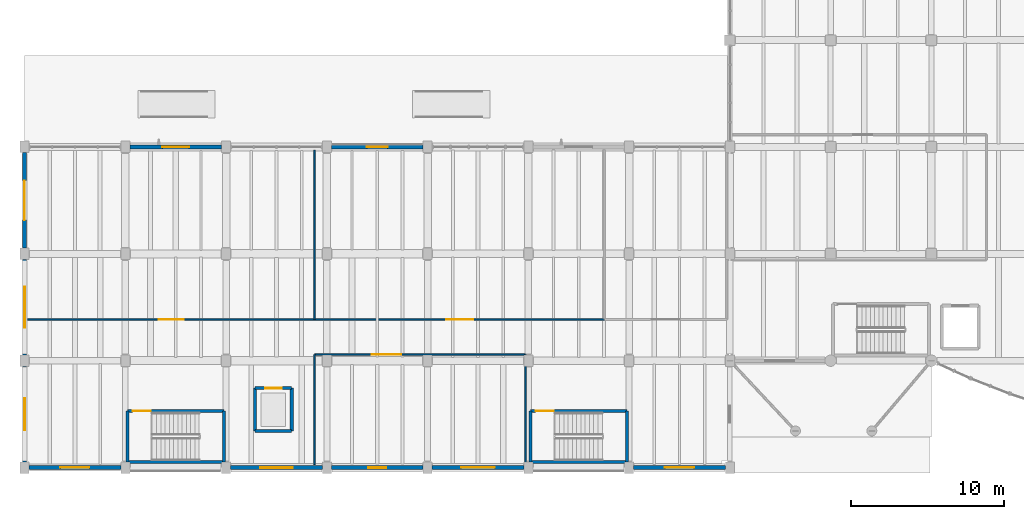
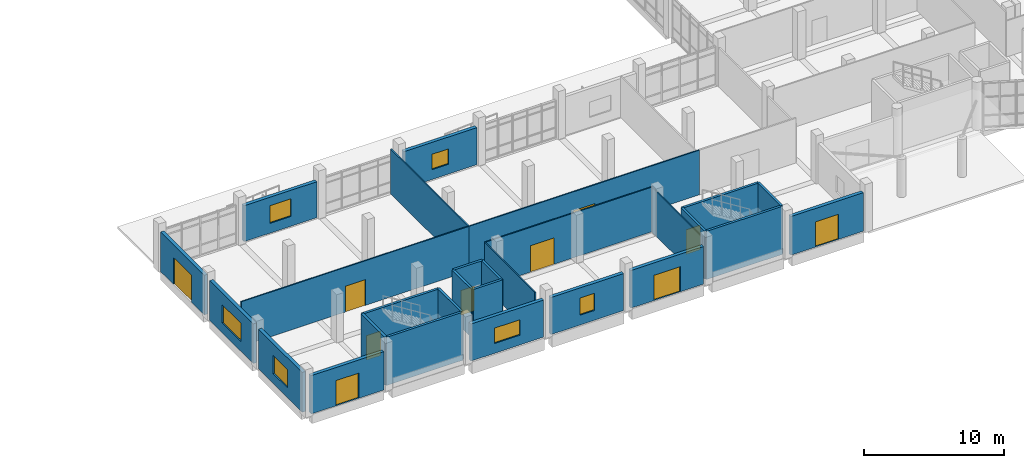
# One storey, part 44 of 69: 28 walls, 10 doors, 6 windows, 16 openings.
"""IFC4 building model written with IfcOpenShell, lengths in metres."""

from ifc_helpers import new_model, si_unit, direction, frame, frame_2d, origin, place, context, subcontext, project, spatial, rectangle, extrude, material, layer, layer_set, type_object, element, fill, save


model = new_model("IFC4")

# Units and contexts
model_context = context("Model", 3, precision=1e-05, world=origin(), true_north=direction((0.0, 1.0)))
body_context = subcontext(model_context, "Body", "Model", "MODEL_VIEW")
ifc_project = project(units=[si_unit("LENGTHUNIT", "METRE"), si_unit("AREAUNIT", "SQUARE_METRE"), si_unit("VOLUMEUNIT", "CUBIC_METRE"), si_unit("PLANEANGLEUNIT", "RADIAN"), si_unit("MASSUNIT", "GRAM", prefix="KILO")], contexts=[model_context])

# Site, building, storey
site_placement = place(None, origin())
site = spatial("IfcSite", under=ifc_project, at=site_placement, CompositionType="ELEMENT")
building_placement = place(site_placement, origin())
building = spatial("IfcBuilding", under=site, at=building_placement, Name="Ciguamira Faculty of Natural Sciences", CompositionType="ELEMENT")
storey_placement = place(building_placement, origin())
storey = spatial("IfcBuildingStorey", under=building, at=storey_placement, Name="L00", CompositionType="ELEMENT", Elevation=0.0)

# Wall, opening, door
ifc_material_1 = material(Name="Precast concrete C40/50", Category="concrete")
ifc_layer_1 = layer(ifc_material_1, 0.280029296875, Name="Precast concrete C40/50")
ifc_layer_set_1 = layer_set([ifc_layer_1], Name="Precast concrete C40/50")
wall_type_1 = type_object("IfcWallType", Name="ExtWall_EW-01_280", PredefinedType="SOLIDWALL", material=ifc_layer_set_1)
wall_1_placement = place(storey_placement, frame((4.800048828125, 3.0, 0.0), z_axis=(0.0, 0.0, 1.0), x_axis=(1.0, 0.0, 0.0)))
wall_1 = element("IfcWall", 1, at=wall_1_placement, inside=storey, type_object=wall_type_1, Name="L00 exterior wall 0066", PredefinedType="SOLIDWALL", context=body_context, shape_type="SweptSolid", body=[
    extrude(rectangle(XDim=6.0, YDim=0.280029296875, at=frame_2d((3.0, 0.0))), origin(), (0.0, 0.0, 1.0), 3.344970703125),
])
opening_1_placement = place(wall_1_placement, frame((2.050048828125, 0.0, 0.0)))
opening_1 = element("IfcOpeningElement", 2, at=opening_1_placement, cuts=wall_1, Name="Opening ED-04", PredefinedType="OPENING", context=body_context, shape_type="SweptSolid", body=[
    extrude(rectangle(XDim=1.89990234375, YDim=2.199951171875, at=frame_2d((0.949951171875, 1.10009765625))), frame((0.0, 0.14990234375, 0.0), z_axis=(0.0, -1.0, 0.0), x_axis=(1.0, 0.0, 0.0)), (0.0, 0.0, 1.0), 0.300048828125),
])
ifc_material_2 = material(Name="Stair final exit discharge double door")
door_type_1 = type_object("IfcDoorType", Name="ExtDoor_ED-04_1900x2200", OperationType="NOTDEFINED", PredefinedType="DOOR", material=ifc_material_2)
door_1_placement = place(opening_1_placement, frame((1.89990234375, 0.0, 0.0), z_axis=(0.0, 0.0, 1.0), x_axis=(-1.0, 0.0, 0.0)))
door_1 = element("IfcDoor", 3, at=door_1_placement, inside=storey, type_object=door_type_1, Name="Commons West Final Exit Door ED-01", OperationType="DOUBLE_DOOR_SINGLE_SWING", OverallHeight=2.199951171875, OverallWidth=1.89990234375, PredefinedType="DOOR", context=body_context, shape_type="SweptSolid", body=[
    extrude(rectangle(XDim=1.89990234375, YDim=2.199951171875, at=frame_2d((0.949951171875, 1.10009765625))), frame((0.0, 0.02490234375, 0.0), z_axis=(0.0, -1.0, 0.0), x_axis=(1.0, 0.0, 0.0)), (0.0, 0.0, 1.0), 0.050048828125),
])
fill(opening_1, door_1)

# Wall, opening, window
wall_2_placement = place(storey_placement, frame((18.0, 3.0, 0.0), z_axis=(0.0, 0.0, 1.0), x_axis=(1.0, 0.0, 0.0)))
wall_2 = element("IfcWall", 4, at=wall_2_placement, inside=storey, type_object=wall_type_1, Name="L00 exterior wall 0067", PredefinedType="SOLIDWALL", context=body_context, shape_type="SweptSolid", body=[
    extrude(rectangle(XDim=6.0, YDim=0.280029296875, at=frame_2d((3.0, 0.0))), origin(), (0.0, 0.0, 1.0), 3.235107421875),
])
opening_2_placement = place(wall_2_placement, frame((1.949951171875, 0.0, 0.85009765625)))
opening_2 = element("IfcOpeningElement", 5, at=opening_2_placement, cuts=wall_2, Name="Opening WT-06", PredefinedType="OPENING", context=body_context, shape_type="SweptSolid", body=[
    extrude(rectangle(XDim=2.10009765625, YDim=1.35009765625, at=frame_2d((1.050048828125, 0.675048828125))), frame((0.0, 0.14990234375, 0.0), z_axis=(0.0, -1.0, 0.0), x_axis=(1.0, 0.0, 0.0)), (0.0, 0.0, 1.0), 0.300048828125),
])
ifc_material_3 = material(Name="Hurricane laminated solar glass", Category="glass")
window_type_1 = type_object("IfcWindowType", Name="Window_WT-06_2100x1350", PartitioningType="DOUBLE_PANEL_VERTICAL", PredefinedType="WINDOW", material=ifc_material_3)
window_1_placement = place(opening_2_placement, origin())
window_1 = element("IfcWindow", 6, at=window_1_placement, inside=storey, type_object=window_type_1, Name="L00 facade window 0001", OverallHeight=1.35009765625, OverallWidth=2.10009765625, PartitioningType="SINGLE_PANEL", PredefinedType="WINDOW", context=body_context, shape_type="SweptSolid", body=[
    extrude(rectangle(XDim=2.10009765625, YDim=1.35009765625, at=frame_2d((1.050048828125, 0.675048828125))), frame((0.0, 0.030029296875, 0.0), z_axis=(0.0, -1.0, 0.0), x_axis=(1.0, 0.0, 0.0)), (0.0, 0.0, 1.0), 0.06005859375),
])
fill(opening_2, window_1)

wall_3_placement = place(storey_placement, frame((24.60009765625, 3.0, 0.0), z_axis=(0.0, 0.0, 1.0), x_axis=(1.0, 0.0, 0.0)))
wall_3 = element("IfcWall", 7, at=wall_3_placement, inside=storey, type_object=wall_type_1, Name="L00 exterior wall 0068", PredefinedType="SOLIDWALL", context=body_context, shape_type="SweptSolid", body=[
    extrude(rectangle(XDim=6.0, YDim=0.280029296875, at=frame_2d((3.0, 0.0))), origin(), (0.0, 0.0, 1.0), 3.235107421875),
])
opening_3_placement = place(wall_3_placement, frame((2.39990234375, 0.0, 0.85009765625)))
opening_3 = element("IfcOpeningElement", 8, at=opening_3_placement, cuts=wall_3, Name="Opening WT-08", PredefinedType="OPENING", context=body_context, shape_type="SweptSolid", body=[
    extrude(rectangle(XDim=1.199951171875, YDim=1.5, at=frame_2d((0.60009765625, 0.75))), frame((0.0, 0.14990234375, 0.0), z_axis=(0.0, -1.0, 0.0), x_axis=(1.0, 0.0, 0.0)), (0.0, 0.0, 1.0), 0.300048828125),
])
window_type_2 = type_object("IfcWindowType", Name="Window_WT-08_1200x1500", PartitioningType="DOUBLE_PANEL_VERTICAL", PredefinedType="WINDOW", material=ifc_material_3)
window_2_placement = place(opening_3_placement, origin())
window_2 = element("IfcWindow", 9, at=window_2_placement, inside=storey, type_object=window_type_2, Name="L00 facade window 0002", OverallHeight=1.5, OverallWidth=1.199951171875, PartitioningType="SINGLE_PANEL", PredefinedType="WINDOW", context=body_context, shape_type="SweptSolid", body=[
    extrude(rectangle(XDim=1.199951171875, YDim=1.5, at=frame_2d((0.60009765625, 0.75))), frame((0.0, 0.030029296875, 0.0), z_axis=(0.0, -1.0, 0.0), x_axis=(1.0, 0.0, 0.0)), (0.0, 0.0, 1.0), 0.06005859375),
])
fill(opening_3, window_2)

# Wall, opening, door
wall_4_placement = place(storey_placement, frame((31.199951171875, 3.0, 0.0), z_axis=(0.0, 0.0, 1.0), x_axis=(1.0, 0.0, 0.0)))
wall_4 = element("IfcWall", 10, at=wall_4_placement, inside=storey, type_object=wall_type_1, Name="L00 exterior wall 0069", PredefinedType="SOLIDWALL", context=body_context, shape_type="SweptSolid", body=[
    extrude(rectangle(XDim=6.0, YDim=0.280029296875, at=frame_2d((3.0, 0.0))), origin(), (0.0, 0.0, 1.0), 3.284912109375),
])
opening_4_placement = place(wall_4_placement, frame((1.89990234375, 0.0, 0.0)))
opening_4 = element("IfcOpeningElement", 11, at=opening_4_placement, cuts=wall_4, Name="Opening ED-02", PredefinedType="OPENING", context=body_context, shape_type="SweptSolid", body=[
    extrude(rectangle(XDim=2.199951171875, YDim=2.199951171875, at=frame_2d((1.10009765625, 1.10009765625))), frame((0.0, 0.14990234375, 0.0), z_axis=(0.0, -1.0, 0.0), x_axis=(1.0, 0.0, 0.0)), (0.0, 0.0, 1.0), 0.300048828125),
])
ifc_material_4 = material(Name="Anodized aluminium entrance double door", Category="aluminium")
door_type_2 = type_object("IfcDoorType", Name="ExtDoor_ED-02_2200x2200", OperationType="NOTDEFINED", PredefinedType="DOOR", material=ifc_material_4)
door_2_placement = place(opening_4_placement, frame((2.199951171875, 0.0, 0.0), z_axis=(0.0, 0.0, 1.0), x_axis=(-1.0, 0.0, 0.0)))
door_2 = element("IfcDoor", 12, at=door_2_placement, inside=storey, type_object=door_type_2, Name="Learning Commons Main Entrance ED-02", OperationType="DOUBLE_DOOR_SINGLE_SWING", OverallHeight=2.199951171875, OverallWidth=2.199951171875, PredefinedType="DOOR", context=body_context, shape_type="SweptSolid", body=[
    extrude(rectangle(XDim=2.199951171875, YDim=2.199951171875, at=frame_2d((1.10009765625, 1.10009765625))), frame((0.0, 0.02490234375, 0.0), z_axis=(0.0, -1.0, 0.0), x_axis=(1.0, 0.0, 0.0)), (0.0, 0.0, 1.0), 0.050048828125),
])
fill(opening_4, door_2)

wall_5_placement = place(storey_placement, frame((44.39990234375, 3.0, 0.0), z_axis=(0.0, 0.0, 1.0), x_axis=(1.0, 0.0, 0.0)))
wall_5 = element("IfcWall", 13, at=wall_5_placement, inside=storey, type_object=wall_type_1, Name="L00 exterior wall 0070", PredefinedType="SOLIDWALL", context=body_context, shape_type="SweptSolid", body=[
    extrude(rectangle(XDim=6.0, YDim=0.280029296875, at=frame_2d((3.0, 0.0))), origin(), (0.0, 0.0, 1.0), 3.364990234375),
])
opening_5_placement = place(wall_5_placement, frame((2.050048828125, 0.0, 0.0)))
opening_5 = element("IfcOpeningElement", 14, at=opening_5_placement, cuts=wall_5, Name="Opening ED-04", PredefinedType="OPENING", context=body_context, shape_type="SweptSolid", body=[
    extrude(rectangle(XDim=1.89990234375, YDim=2.199951171875, at=frame_2d((0.949951171875, 1.10009765625))), frame((0.0, 0.14990234375, 0.0), z_axis=(0.0, -1.0, 0.0), x_axis=(1.0, 0.0, 0.0)), (0.0, 0.0, 1.0), 0.300048828125),
])
door_3_placement = place(opening_5_placement, frame((1.89990234375, 0.0, 0.0), z_axis=(0.0, 0.0, 1.0), x_axis=(-1.0, 0.0, 0.0)))
door_3 = element("IfcDoor", 15, at=door_3_placement, inside=storey, type_object=door_type_1, Name="Commons East Final Exit Door ED-03", OperationType="DOUBLE_DOOR_SINGLE_SWING", OverallHeight=2.199951171875, OverallWidth=1.89990234375, PredefinedType="DOOR", context=body_context, shape_type="SweptSolid", body=[
    extrude(rectangle(XDim=1.89990234375, YDim=2.199951171875, at=frame_2d((0.949951171875, 1.10009765625))), frame((0.0, 0.02490234375, 0.0), z_axis=(0.0, -1.0, 0.0), x_axis=(1.0, 0.0, 0.0)), (0.0, 0.0, 1.0), 0.050048828125),
])
fill(opening_5, door_3)

# Wall, opening, window
wall_6_placement = place(storey_placement, frame((11.39990234375, 24.0, 0.0), z_axis=(0.0, 0.0, 1.0), x_axis=(1.0, 0.0, 0.0)))
wall_6 = element("IfcWall", 16, at=wall_6_placement, inside=storey, type_object=wall_type_1, Name="L00 exterior wall 0080", PredefinedType="SOLIDWALL", context=body_context, shape_type="SweptSolid", body=[
    extrude(rectangle(XDim=6.0, YDim=0.280029296875, at=frame_2d((3.0, 0.0))), origin(), (0.0, 0.0, 1.0), 3.135009765625),
])
opening_6_placement = place(wall_6_placement, frame((2.125, 0.0, 0.85009765625)))
opening_6 = element("IfcOpeningElement", 17, at=opening_6_placement, cuts=wall_6, Name="Opening WT-39", PredefinedType="OPENING", context=body_context, shape_type="SweptSolid", body=[
    extrude(rectangle(XDim=1.75, YDim=1.550048828125, at=frame_2d((0.875, 0.77490234375))), frame((0.0, 0.14990234375, 0.0), z_axis=(0.0, -1.0, 0.0), x_axis=(1.0, 0.0, 0.0)), (0.0, 0.0, 1.0), 0.300048828125),
])
window_type_3 = type_object("IfcWindowType", Name="Window_WT-39_1750x1550", PartitioningType="DOUBLE_PANEL_VERTICAL", PredefinedType="WINDOW", material=ifc_material_3)
window_3_placement = place(opening_6_placement, origin())
window_3 = element("IfcWindow", 18, at=window_3_placement, inside=storey, type_object=window_type_3, Name="L00 facade window 0010", OverallHeight=1.550048828125, OverallWidth=1.75, PartitioningType="SINGLE_PANEL", PredefinedType="WINDOW", context=body_context, shape_type="SweptSolid", body=[
    extrude(rectangle(XDim=1.75, YDim=1.550048828125, at=frame_2d((0.875, 0.77490234375))), frame((0.0, 0.030029296875, 0.0), z_axis=(0.0, -1.0, 0.0), x_axis=(1.0, 0.0, 0.0)), (0.0, 0.0, 1.0), 0.06005859375),
])
fill(opening_6, window_3)

wall_7_placement = place(storey_placement, frame((24.60009765625, 24.0, 0.0), z_axis=(0.0, 0.0, 1.0), x_axis=(1.0, 0.0, 0.0)))
wall_7 = element("IfcWall", 19, at=wall_7_placement, inside=storey, type_object=wall_type_1, Name="L00 exterior wall 0081", PredefinedType="SOLIDWALL", context=body_context, shape_type="SweptSolid", body=[
    extrude(rectangle(XDim=6.0, YDim=0.280029296875, at=frame_2d((3.0, 0.0))), origin(), (0.0, 0.0, 1.0), 3.235107421875),
])
opening_7_placement = place(wall_7_placement, frame((2.324951171875, 0.0, 0.85009765625)))
opening_7 = element("IfcOpeningElement", 20, at=opening_7_placement, cuts=wall_7, Name="Opening WT-02", PredefinedType="OPENING", context=body_context, shape_type="SweptSolid", body=[
    extrude(rectangle(XDim=1.35009765625, YDim=1.35009765625, at=frame_2d((0.675048828125, 0.675048828125))), frame((0.0, 0.14990234375, 0.0), z_axis=(0.0, -1.0, 0.0), x_axis=(1.0, 0.0, 0.0)), (0.0, 0.0, 1.0), 0.300048828125),
])
window_type_4 = type_object("IfcWindowType", Name="Window_WT-02_1350x1350", PartitioningType="DOUBLE_PANEL_VERTICAL", PredefinedType="WINDOW", material=ifc_material_3)
window_4_placement = place(opening_7_placement, origin())
window_4 = element("IfcWindow", 21, at=window_4_placement, inside=storey, type_object=window_type_4, Name="L00 facade window 0011", OverallHeight=1.35009765625, OverallWidth=1.35009765625, PartitioningType="SINGLE_PANEL", PredefinedType="WINDOW", context=body_context, shape_type="SweptSolid", body=[
    extrude(rectangle(XDim=1.35009765625, YDim=1.35009765625, at=frame_2d((0.675048828125, 0.675048828125))), frame((0.0, 0.030029296875, 0.0), z_axis=(0.0, -1.0, 0.0), x_axis=(1.0, 0.0, 0.0)), (0.0, 0.0, 1.0), 0.06005859375),
])
fill(opening_7, window_4)

wall_8_placement = place(storey_placement, frame((4.5, 3.375, 0.0), z_axis=(0.0, 0.0, 1.0), x_axis=(0.0, 1.0, 0.0)))
wall_8 = element("IfcWall", 22, at=wall_8_placement, inside=storey, type_object=wall_type_1, Name="L00 exterior wall 0105", PredefinedType="SOLIDWALL", context=body_context, shape_type="SweptSolid", body=[
    extrude(rectangle(XDim=6.25, YDim=0.280029296875, at=frame_2d((3.125, 0.0))), origin(), (0.0, 0.0, 1.0), 3.465087890625),
])
opening_8_placement = place(wall_8_placement, frame((2.074951171875, 0.0, 0.85009765625)))
opening_8 = element("IfcOpeningElement", 23, at=opening_8_placement, cuts=wall_8, Name="Opening WT-22", PredefinedType="OPENING", context=body_context, shape_type="SweptSolid", body=[
    extrude(rectangle(XDim=2.10009765625, YDim=1.60009765625, at=frame_2d((1.050048828125, 0.800048828125))), frame((0.0, 0.14990234375, 0.0), z_axis=(0.0, -1.0, 0.0), x_axis=(1.0, 0.0, 0.0)), (0.0, 0.0, 1.0), 0.300048828125),
])
window_type_5 = type_object("IfcWindowType", Name="Window_WT-22_2100x1600", PartitioningType="DOUBLE_PANEL_VERTICAL", PredefinedType="WINDOW", material=ifc_material_3)
window_5_placement = place(opening_8_placement, origin())
window_5 = element("IfcWindow", 24, at=window_5_placement, inside=storey, type_object=window_type_5, Name="L00 facade window 0027", OverallHeight=1.60009765625, OverallWidth=2.10009765625, PartitioningType="SINGLE_PANEL", PredefinedType="WINDOW", context=body_context, shape_type="SweptSolid", body=[
    extrude(rectangle(XDim=2.10009765625, YDim=1.60009765625, at=frame_2d((1.050048828125, 0.800048828125))), frame((0.0, 0.030029296875, 0.0), z_axis=(0.0, -1.0, 0.0), x_axis=(1.0, 0.0, 0.0)), (0.0, 0.0, 1.0), 0.06005859375),
])
fill(opening_8, window_5)

wall_9_placement = place(storey_placement, frame((4.5, 10.375, 0.0), z_axis=(0.0, 0.0, 1.0), x_axis=(0.0, 1.0, 0.0)))
wall_9 = element("IfcWall", 25, at=wall_9_placement, inside=storey, type_object=wall_type_1, Name="L00 exterior wall 0106", PredefinedType="SOLIDWALL", context=body_context, shape_type="SweptSolid", body=[
    extrude(rectangle(XDim=6.25, YDim=0.280029296875, at=frame_2d((3.125, 0.0))), origin(), (0.0, 0.0, 1.0), 3.465087890625),
])
opening_9_placement = place(wall_9_placement, frame((1.77490234375, 0.0, 0.85009765625)))
opening_9 = element("IfcOpeningElement", 26, at=opening_9_placement, cuts=wall_9, Name="Opening WT-24", PredefinedType="OPENING", context=body_context, shape_type="SweptSolid", body=[
    extrude(rectangle(XDim=2.699951171875, YDim=1.60009765625, at=frame_2d((1.35009765625, 0.800048828125))), frame((0.0, 0.14990234375, 0.0), z_axis=(0.0, -1.0, 0.0), x_axis=(1.0, 0.0, 0.0)), (0.0, 0.0, 1.0), 0.300048828125),
])
window_type_6 = type_object("IfcWindowType", Name="Window_WT-24_2700x1600", PartitioningType="DOUBLE_PANEL_VERTICAL", PredefinedType="WINDOW", material=ifc_material_3)
window_6_placement = place(opening_9_placement, origin())
window_6 = element("IfcWindow", 27, at=window_6_placement, inside=storey, type_object=window_type_6, Name="L00 facade window 0028", OverallHeight=1.60009765625, OverallWidth=2.699951171875, PartitioningType="SINGLE_PANEL", PredefinedType="WINDOW", context=body_context, shape_type="SweptSolid", body=[
    extrude(rectangle(XDim=2.699951171875, YDim=1.60009765625, at=frame_2d((1.35009765625, 0.800048828125))), frame((0.0, 0.030029296875, 0.0), z_axis=(0.0, -1.0, 0.0), x_axis=(1.0, 0.0, 0.0)), (0.0, 0.0, 1.0), 0.06005859375),
])
fill(opening_9, window_6)

# Wall, opening, door
wall_10_placement = place(storey_placement, frame((4.5, 17.375, 0.0), z_axis=(0.0, 0.0, 1.0), x_axis=(0.0, 1.0, 0.0)))
wall_10 = element("IfcWall", 28, at=wall_10_placement, inside=storey, type_object=wall_type_1, Name="L00 exterior wall 0107", PredefinedType="SOLIDWALL", context=body_context, shape_type="SweptSolid", body=[
    extrude(rectangle(XDim=6.25, YDim=0.280029296875, at=frame_2d((3.125, 0.0))), origin(), (0.0, 0.0, 1.0), 3.465087890625),
])
opening_10_placement = place(wall_10_placement, frame((1.824951171875, 0.0, 0.0)))
opening_10 = element("IfcOpeningElement", 29, at=opening_10_placement, cuts=wall_10, Name="Opening GD-02", PredefinedType="OPENING", context=body_context, shape_type="SweptSolid", body=[
    extrude(rectangle(XDim=2.60009765625, YDim=2.35009765625, at=frame_2d((1.300048828125, 1.175048828125))), frame((0.0, 0.14990234375, 0.0), z_axis=(0.0, -1.0, 0.0), x_axis=(1.0, 0.0, 0.0)), (0.0, 0.0, 1.0), 0.300048828125),
])
ifc_material_5 = material(Name="Specimen yard delivery gate")
door_type_3 = type_object("IfcDoorType", Name="ExtDoor_GD-02_2600x2350", OperationType="NOTDEFINED", PredefinedType="GATE", material=ifc_material_5)
door_4_placement = place(opening_10_placement, origin())
door_4 = element("IfcDoor", 30, at=door_4_placement, inside=storey, type_object=door_type_3, Name="Library Book Delivery Gate GD-02", OperationType="DOUBLE_DOOR_SINGLE_SWING", OverallHeight=2.35009765625, OverallWidth=2.60009765625, PredefinedType="GATE", context=body_context, shape_type="SweptSolid", body=[
    extrude(rectangle(XDim=2.60009765625, YDim=2.35009765625, at=frame_2d((1.300048828125, 1.175048828125))), frame((0.0, 0.02490234375, 0.0), z_axis=(0.0, -1.0, 0.0), x_axis=(1.0, 0.0, 0.0)), (0.0, 0.0, 1.0), 0.050048828125),
])
fill(opening_10, door_4)

# Wall
ifc_material_6 = material(Name="Concrete C40/50", Category="concrete")
ifc_layer_2 = layer(ifc_material_6, 0.199951171875, Name="Concrete C40/50")
ifc_layer_set_2 = layer_set([ifc_layer_2], Name="Concrete C40/50")
wall_type_2 = type_object("IfcWallType", Name="IntWall_CW-S20_200", PredefinedType="SHEAR", material=ifc_layer_set_2)
wall_11_placement = place(storey_placement, frame((11.25, 3.35009765625, 0.0), z_axis=(0.0, 0.0, 1.0), x_axis=(1.0, 0.0, 0.0)))
element("IfcWall", 31, at=wall_11_placement, inside=storey, type_object=wall_type_2, Name="L00 ST-C1 core shear wall south", PredefinedType="SHEAR", context=body_context, shape_type="SweptSolid", body=[
    extrude(rectangle(XDim=6.300048828125, YDim=0.199951171875, at=frame_2d((3.14990234375, 0.0))), origin(), (0.0, 0.0, 1.0), 4.199951171875),
])

# Wall, opening, door
wall_12_placement = place(storey_placement, frame((11.25, 6.7099609375, 0.0), z_axis=(0.0, 0.0, 1.0), x_axis=(1.0, 0.0, 0.0)))
wall_12 = element("IfcWall", 32, at=wall_12_placement, inside=storey, type_object=wall_type_2, Name="L00 ST-C1 core shear wall north", PredefinedType="SHEAR", context=body_context, shape_type="SweptSolid", body=[
    extrude(rectangle(XDim=6.300048828125, YDim=0.199951171875, at=frame_2d((3.14990234375, 0.0))), origin(), (0.0, 0.0, 1.0), 4.199951171875),
])
opening_11_placement = place(wall_12_placement, frame((0.320068359375, 0.0, 0.0)))
opening_11 = element("IfcOpeningElement", 33, at=opening_11_placement, cuts=wall_12, Name="Opening ID-14", PredefinedType="OPENING", context=body_context, shape_type="SweptSolid", body=[
    extrude(rectangle(XDim=1.199951171875, YDim=2.14990234375, at=frame_2d((0.60009765625, 1.074951171875))), frame((0.0, 0.10986328125, 0.0), z_axis=(0.0, -1.0, 0.0), x_axis=(1.0, 0.0, 0.0)), (0.0, 0.0, 1.0), 0.219970703125),
])
ifc_material_7 = material(Name="Protected exit stair fire door")
door_type_4 = type_object("IfcDoorType", Name="IntDoor_ID-14_1200x2150", OperationType="NOTDEFINED", PredefinedType="DOOR", material=ifc_material_7)
door_5_placement = place(opening_11_placement, frame((1.199951171875, 0.0, 0.0), z_axis=(0.0, 0.0, 1.0), x_axis=(-1.0, 0.0, 0.0)))
door_5 = element("IfcDoor", 34, at=door_5_placement, inside=storey, type_object=door_type_4, Name="L00 ST-C1 exit stair fire door", OperationType="SINGLE_SWING_RIGHT", OverallHeight=2.14990234375, OverallWidth=1.199951171875, PredefinedType="DOOR", context=body_context, shape_type="SweptSolid", body=[
    extrude(rectangle(XDim=1.199951171875, YDim=2.14990234375, at=frame_2d((0.60009765625, 1.074951171875))), frame((0.0, 0.02490234375, 0.0), z_axis=(0.0, -1.0, 0.0), x_axis=(1.0, 0.0, 0.0)), (0.0, 0.0, 1.0), 0.050048828125),
])
fill(opening_11, door_5)

# Walls
for number, where, z_axis, x_axis, name in (
    (35, (11.25, 3.35009765625, 0.0), (0.0, 0.0, 1.0), (0.0, 1.0, 0.0), "L00 ST-C1 core shear wall west"),
    (36, (17.550048828125, 3.35009765625, 0.0), (0.0, 0.0, 1.0), (0.0, 1.0, 0.0), "L00 ST-C1 core shear wall east"),
):
    element("IfcWall", number, at=place(storey_placement, frame(where, z_axis=z_axis, x_axis=x_axis)), inside=storey, type_object=wall_type_2, Name=name, PredefinedType="SHEAR", context=body_context, shape_type="SweptSolid", body=[
        extrude(rectangle(XDim=3.35986328125, YDim=0.199951171875, at=frame_2d((1.679931640625, 0.0))), origin(), (0.0, 0.0, 1.0), 4.199951171875),
    ])
wall_13_placement = place(storey_placement, frame((37.64990234375, 3.35009765625, 0.0), z_axis=(0.0, 0.0, 1.0), x_axis=(1.0, 0.0, 0.0)))
element("IfcWall", 37, at=wall_13_placement, inside=storey, type_object=wall_type_2, Name="L00 ST-C2 core shear wall south", PredefinedType="SHEAR", context=body_context, shape_type="SweptSolid", body=[
    extrude(rectangle(XDim=6.300048828125, YDim=0.199951171875, at=frame_2d((3.14990234375, 0.0))), origin(), (0.0, 0.0, 1.0), 4.199951171875),
])

# Wall, opening, door
wall_14_placement = place(storey_placement, frame((37.64990234375, 6.7099609375, 0.0), z_axis=(0.0, 0.0, 1.0), x_axis=(1.0, 0.0, 0.0)))
wall_14 = element("IfcWall", 38, at=wall_14_placement, inside=storey, type_object=wall_type_2, Name="L00 ST-C2 core shear wall north", PredefinedType="SHEAR", context=body_context, shape_type="SweptSolid", body=[
    extrude(rectangle(XDim=6.300048828125, YDim=0.199951171875, at=frame_2d((3.14990234375, 0.0))), origin(), (0.0, 0.0, 1.0), 4.199951171875),
])
opening_12_placement = place(wall_14_placement, frame((0.320068359375, 0.0, 0.0)))
opening_12 = element("IfcOpeningElement", 39, at=opening_12_placement, cuts=wall_14, Name="Opening ID-14", PredefinedType="OPENING", context=body_context, shape_type="SweptSolid", body=[
    extrude(rectangle(XDim=1.199951171875, YDim=2.14990234375, at=frame_2d((0.60009765625, 1.074951171875))), frame((0.0, 0.10986328125, 0.0), z_axis=(0.0, -1.0, 0.0), x_axis=(1.0, 0.0, 0.0)), (0.0, 0.0, 1.0), 0.219970703125),
])
door_6_placement = place(opening_12_placement, frame((1.199951171875, 0.0, 0.0), z_axis=(0.0, 0.0, 1.0), x_axis=(-1.0, 0.0, 0.0)))
door_6 = element("IfcDoor", 40, at=door_6_placement, inside=storey, type_object=door_type_4, Name="L00 ST-C2 exit stair fire door", OperationType="SINGLE_SWING_RIGHT", OverallHeight=2.14990234375, OverallWidth=1.199951171875, PredefinedType="DOOR", context=body_context, shape_type="SweptSolid", body=[
    extrude(rectangle(XDim=1.199951171875, YDim=2.14990234375, at=frame_2d((0.60009765625, 1.074951171875))), frame((0.0, 0.02490234375, 0.0), z_axis=(0.0, -1.0, 0.0), x_axis=(1.0, 0.0, 0.0)), (0.0, 0.0, 1.0), 0.050048828125),
])
fill(opening_12, door_6)

# Walls
for number, where, z_axis, x_axis, name in (
    (41, (37.64990234375, 3.35009765625, 0.0), (0.0, 0.0, 1.0), (0.0, 1.0, 0.0), "L00 ST-C2 core shear wall west"),
    (42, (43.949951171875, 3.35009765625, 0.0), (0.0, 0.0, 1.0), (0.0, 1.0, 0.0), "L00 ST-C2 core shear wall east"),
):
    element("IfcWall", number, at=place(storey_placement, frame(where, z_axis=z_axis, x_axis=x_axis)), inside=storey, type_object=wall_type_2, Name=name, PredefinedType="SHEAR", context=body_context, shape_type="SweptSolid", body=[
        extrude(rectangle(XDim=3.35986328125, YDim=0.199951171875, at=frame_2d((1.679931640625, 0.0))), origin(), (0.0, 0.0, 1.0), 4.199951171875),
    ])
wall_15_placement = place(storey_placement, frame((19.60009765625, 5.39990234375, 0.0), z_axis=(0.0, 0.0, 1.0), x_axis=(1.0, 0.0, 0.0)))
element("IfcWall", 43, at=wall_15_placement, inside=storey, type_object=wall_type_2, Name="L00 EL-P2 hoistway wall south", PredefinedType="SHEAR", context=body_context, shape_type="SweptSolid", body=[
    extrude(rectangle(XDim=2.39990234375, YDim=0.199951171875, at=frame_2d((1.199951171875, 0.0))), origin(), (0.0, 0.0, 1.0), 4.199951171875),
])

# Wall, opening, door
wall_16_placement = place(storey_placement, frame((19.60009765625, 8.199951171875, 0.0), z_axis=(0.0, 0.0, 1.0), x_axis=(1.0, 0.0, 0.0)))
wall_16 = element("IfcWall", 44, at=wall_16_placement, inside=storey, type_object=wall_type_2, Name="L00 EL-P2 hoistway wall north", PredefinedType="SHEAR", context=body_context, shape_type="SweptSolid", body=[
    extrude(rectangle(XDim=2.39990234375, YDim=0.199951171875, at=frame_2d((1.199951171875, 0.0))), origin(), (0.0, 0.0, 1.0), 4.199951171875),
])
opening_13_placement = place(wall_16_placement, frame((0.64990234375, 0.0, 0.0)))
opening_13 = element("IfcOpeningElement", 45, at=opening_13_placement, cuts=wall_16, Name="Opening LD-01", PredefinedType="OPENING", context=body_context, shape_type="SweptSolid", body=[
    extrude(rectangle(XDim=1.10009765625, YDim=2.14990234375, at=frame_2d((0.550048828125, 1.074951171875))), frame((0.0, 0.10986328125, 0.0), z_axis=(0.0, -1.0, 0.0), x_axis=(1.0, 0.0, 0.0)), (0.0, 0.0, 1.0), 0.219970703125),
])
ifc_material_8 = material(Name="Passenger elevator sliding landing door")
door_type_5 = type_object("IfcDoorType", Name="LiftLandingDoor_LD-01_1100x2150", OperationType="SLIDING_TO_LEFT", PredefinedType="DOOR", material=ifc_material_8)
door_7_placement = place(opening_13_placement, origin())
door_7 = element("IfcDoor", 46, at=door_7_placement, inside=storey, type_object=door_type_5, Name="L00 EL-P2 elevator landing sliding door", OperationType="SLIDING_TO_LEFT", OverallHeight=2.14990234375, OverallWidth=1.10009765625, PredefinedType="DOOR", context=body_context, shape_type="SweptSolid", body=[
    extrude(rectangle(XDim=1.10009765625, YDim=2.14990234375, at=frame_2d((0.550048828125, 1.074951171875))), frame((0.0, 0.02490234375, 0.0), z_axis=(0.0, -1.0, 0.0), x_axis=(1.0, 0.0, 0.0)), (0.0, 0.0, 1.0), 0.050048828125),
])
fill(opening_13, door_7)

# Walls
for number, where, z_axis, x_axis, name in (
    (47, (19.60009765625, 5.39990234375, 0.0), (0.0, 0.0, 1.0), (0.0, 1.0, 0.0), "L00 EL-P2 hoistway wall west"),
    (48, (22.0, 5.39990234375, 0.0), (0.0, 0.0, 1.0), (0.0, 1.0, 0.0), "L00 EL-P2 hoistway wall east"),
):
    element("IfcWall", number, at=place(storey_placement, frame(where, z_axis=z_axis, x_axis=x_axis)), inside=storey, type_object=wall_type_2, Name=name, PredefinedType="SHEAR", context=body_context, shape_type="SweptSolid", body=[
        extrude(rectangle(XDim=2.800048828125, YDim=0.199951171875, at=frame_2d((1.39990234375, 0.0))), origin(), (0.0, 0.0, 1.0), 4.199951171875),
    ])

# Wall, opening, door
ifc_material_9 = material(Name="Fire-rated gypsum partition")
ifc_layer_3 = layer(ifc_material_9, 0.10009765625, Name="Fire-rated gypsum partition")
ifc_layer_set_3 = layer_set([ifc_layer_3], Name="Fire-rated gypsum partition")
wall_type_3 = type_object("IfcWallType", Name="IntWall_IW-A10_100", PredefinedType="PARTITIONING", material=ifc_layer_set_3)
wall_17_placement = place(storey_placement, frame((4.699951171875, 12.699951171875, 0.0), z_axis=(0.0, 0.0, 1.0), x_axis=(1.0, 0.0, 0.0)))
wall_17 = element("IfcWall", 49, at=wall_17_placement, inside=storey, type_object=wall_type_3, Name="L00 Lower Science Reading Room partition south", PredefinedType="PARTITIONING", context=body_context, shape_type="SweptSolid", body=[
    extrude(rectangle(XDim=18.800048828125, YDim=0.10009765625, at=frame_2d((9.39990234375, 0.0))), origin(), (0.0, 0.0, 1.0), 3.89990234375),
])
opening_14_placement = place(wall_17_placement, frame((8.574951171875, 0.0, 0.0)))
opening_14 = element("IfcOpeningElement", 50, at=opening_14_placement, cuts=wall_17, Name="Opening ID-10", PredefinedType="OPENING", context=body_context, shape_type="SweptSolid", body=[
    extrude(rectangle(XDim=1.64990234375, YDim=2.25, at=frame_2d((0.824951171875, 1.125))), frame((0.0, 0.06005859375, 0.0), z_axis=(0.0, -1.0, 0.0), x_axis=(1.0, 0.0, 0.0)), (0.0, 0.0, 1.0), 0.1201171875),
])
ifc_material_10 = material(Name="Reading hall double acoustic door")
door_type_6 = type_object("IfcDoorType", Name="IntDoor_ID-10_1650x2250", OperationType="NOTDEFINED", PredefinedType="DOOR", material=ifc_material_10)
door_8_placement = place(opening_14_placement, origin())
door_8 = element("IfcDoor", 51, at=door_8_placement, inside=storey, type_object=door_type_6, Name="L00 Lower Science Reading Room door", OperationType="SINGLE_SWING_RIGHT", OverallHeight=2.25, OverallWidth=1.64990234375, PredefinedType="DOOR", context=body_context, shape_type="SweptSolid", body=[
    extrude(rectangle(XDim=1.64990234375, YDim=2.25, at=frame_2d((0.824951171875, 1.125))), frame((0.0, 0.02490234375, 0.0), z_axis=(0.0, -1.0, 0.0), x_axis=(1.0, 0.0, 0.0)), (0.0, 0.0, 1.0), 0.050048828125),
])
fill(opening_14, door_8)

# Wall
wall_18_placement = place(storey_placement, frame((23.5, 12.699951171875, 0.0), z_axis=(0.0, 0.0, 1.0), x_axis=(0.0, 1.0, 0.0)))
element("IfcWall", 52, at=wall_18_placement, inside=storey, type_object=wall_type_3, Name="L00 Lower Science Reading Room partition east", PredefinedType="PARTITIONING", context=body_context, shape_type="SweptSolid", body=[
    extrude(rectangle(XDim=11.10009765625, YDim=0.10009765625, at=frame_2d((5.550048828125, 0.0))), origin(), (0.0, 0.0, 1.0), 3.89990234375),
])

# Wall, opening, door
wall_19_placement = place(storey_placement, frame((23.5, 12.699951171875, 0.0), z_axis=(0.0, 0.0, 1.0), x_axis=(1.0, 0.0, 0.0)))
wall_19 = element("IfcWall", 53, at=wall_19_placement, inside=storey, type_object=wall_type_3, Name="L00 Open Reference Periodicals Hall partition south", PredefinedType="PARTITIONING", context=body_context, shape_type="SweptSolid", body=[
    extrude(rectangle(XDim=19.0, YDim=0.10009765625, at=frame_2d((9.5, 0.0))), origin(), (0.0, 0.0, 1.0), 3.89990234375),
])
opening_15_placement = place(wall_19_placement, frame((8.625, 0.0, 0.0)))
opening_15 = element("IfcOpeningElement", 54, at=opening_15_placement, cuts=wall_19, Name="Opening ID-11", PredefinedType="OPENING", context=body_context, shape_type="SweptSolid", body=[
    extrude(rectangle(XDim=1.75, YDim=2.25, at=frame_2d((0.875, 1.125))), frame((0.0, 0.06005859375, 0.0), z_axis=(0.0, -1.0, 0.0), x_axis=(1.0, 0.0, 0.0)), (0.0, 0.0, 1.0), 0.1201171875),
])
ifc_material_11 = material(Name="Exhibition gallery double door")
door_type_7 = type_object("IfcDoorType", Name="IntDoor_ID-11_1750x2250", OperationType="NOTDEFINED", PredefinedType="DOOR", material=ifc_material_11)
door_9_placement = place(opening_15_placement, origin())
door_9 = element("IfcDoor", 55, at=door_9_placement, inside=storey, type_object=door_type_7, Name="L00 Open Reference Periodicals Hall door", OperationType="SINGLE_SWING_LEFT", OverallHeight=2.25, OverallWidth=1.75, PredefinedType="DOOR", context=body_context, shape_type="SweptSolid", body=[
    extrude(rectangle(XDim=1.75, YDim=2.25, at=frame_2d((0.875, 1.125))), frame((0.0, 0.02490234375, 0.0), z_axis=(0.0, -1.0, 0.0), x_axis=(1.0, 0.0, 0.0)), (0.0, 0.0, 1.0), 0.050048828125),
])
fill(opening_15, door_9)

wall_20_placement = place(storey_placement, frame((23.5, 10.39990234375, 0.0), z_axis=(0.0, 0.0, 1.0), x_axis=(1.0, 0.0, 0.0)))
wall_20 = element("IfcWall", 56, at=wall_20_placement, inside=storey, type_object=wall_type_3, Name="L00 Cartography Archive Collection partition north", PredefinedType="PARTITIONING", context=body_context, shape_type="SweptSolid", body=[
    extrude(rectangle(XDim=13.800048828125, YDim=0.10009765625, at=frame_2d((6.89990234375, 0.0))), origin(), (0.0, 0.0, 1.0), 3.89990234375),
])
opening_16_placement = place(wall_20_placement, frame((3.72509765625, 0.0, 0.0)))
opening_16 = element("IfcOpeningElement", 57, at=opening_16_placement, cuts=wall_20, Name="Opening ID-13", PredefinedType="OPENING", context=body_context, shape_type="SweptSolid", body=[
    extrude(rectangle(XDim=1.949951171875, YDim=2.300048828125, at=frame_2d((0.97509765625, 1.14990234375))), frame((0.0, 0.06005859375, 0.0), z_axis=(0.0, -1.0, 0.0), x_axis=(1.0, 0.0, 0.0)), (0.0, 0.0, 1.0), 0.1201171875),
])
ifc_material_12 = material(Name="Atrium concourse double fire door")
door_type_8 = type_object("IfcDoorType", Name="IntDoor_ID-13_1950x2300", OperationType="NOTDEFINED", PredefinedType="DOOR", material=ifc_material_12)
door_10_placement = place(opening_16_placement, frame((1.949951171875, 0.0, 0.0), z_axis=(0.0, 0.0, 1.0), x_axis=(-1.0, 0.0, 0.0)))
door_10 = element("IfcDoor", 58, at=door_10_placement, inside=storey, type_object=door_type_8, Name="L00 Cartography Archive Collection door", OperationType="SINGLE_SWING_LEFT", OverallHeight=2.300048828125, OverallWidth=1.949951171875, PredefinedType="DOOR", context=body_context, shape_type="SweptSolid", body=[
    extrude(rectangle(XDim=1.949951171875, YDim=2.300048828125, at=frame_2d((0.97509765625, 1.14990234375))), frame((0.0, 0.02490234375, 0.0), z_axis=(0.0, -1.0, 0.0), x_axis=(1.0, 0.0, 0.0)), (0.0, 0.0, 1.0), 0.050048828125),
])
fill(opening_16, door_10)

# Walls
for number, where, z_axis, x_axis, name in (
    (59, (23.5, 3.199951171875, 0.0), (0.0, 0.0, 1.0), (0.0, 1.0, 0.0), "L00 Cartography Archive Collection partition west"),
    (60, (37.300048828125, 3.199951171875, 0.0), (0.0, 0.0, 1.0), (0.0, 1.0, 0.0), "L00 Cartography Archive Collection partition east"),
):
    element("IfcWall", number, at=place(storey_placement, frame(where, z_axis=z_axis, x_axis=x_axis)), inside=storey, type_object=wall_type_3, Name=name, PredefinedType="PARTITIONING", context=body_context, shape_type="SweptSolid", body=[
        extrude(rectangle(XDim=7.199951171875, YDim=0.10009765625, at=frame_2d((3.60009765625, 0.0))), origin(), (0.0, 0.0, 1.0), 3.89990234375),
    ])

save(model, "model.ifc")
